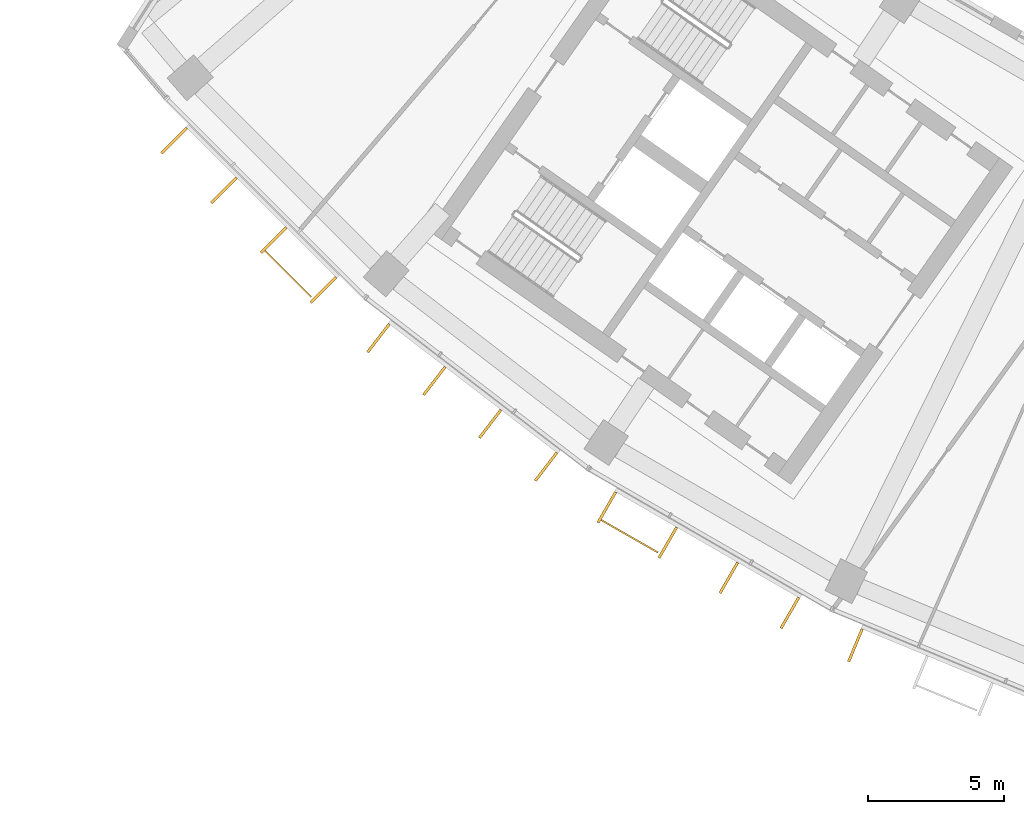
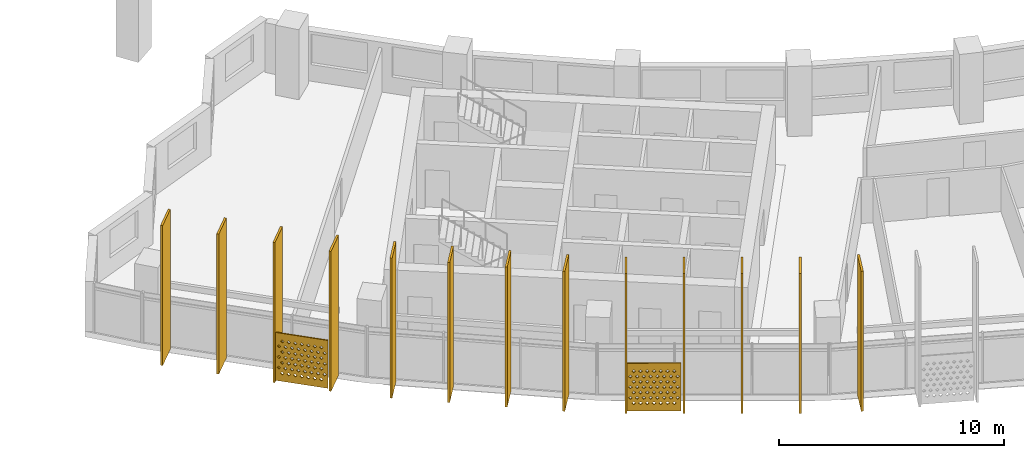
# One storey, part 21 of 27: 15 shading devices.
"""IFC4 building model written with IfcOpenShell, lengths in metres."""

from ifc_helpers import new_model, si_unit, direction, frame, origin, origin_2d, place, context, subcontext, project, spatial, polyline, rectangle, outline, extrude, material, material_profile, profile_set, type_object, element, save


model = new_model("IFC4")

# Units and contexts
model_context = context("Model", 3, precision=1e-05, world=origin(), true_north=direction((0.0, 1.0)))
body_context = subcontext(model_context, "Body", "Model", "MODEL_VIEW")
ifc_project = project(units=[si_unit("LENGTHUNIT", "METRE"), si_unit("AREAUNIT", "SQUARE_METRE"), si_unit("VOLUMEUNIT", "CUBIC_METRE"), si_unit("PLANEANGLEUNIT", "RADIAN"), si_unit("MASSUNIT", "GRAM", prefix="KILO")], contexts=[model_context])

# Site, building, storey
site_placement = place(None, origin())
site = spatial("IfcSite", under=ifc_project, at=site_placement, CompositionType="ELEMENT")
building_placement = place(site_placement, origin())
building = spatial("IfcBuilding", under=site, at=building_placement, Name="Qamariyya Broadcast Tower", CompositionType="ELEMENT")
storey_placement = place(building_placement, frame((0.0, 0.0, 172.10009765625)))
storey = spatial("IfcBuildingStorey", under=building, at=storey_placement, Name="L40", CompositionType="ELEMENT", Elevation=172.10009765625)

# Shading devices
ifc_material_1 = material(Name="Perforated glazed terracotta", Category="masonry")
ifc_material_profile_1 = material_profile(ifc_material_1, outline(polyline([(-1.199951171875, -1.300048828125), (1.199951171875, -1.300048828125), (1.199951171875, 1.300048828125), (-1.199951171875, 1.300048828125), (-1.199951171875, -1.300048828125)]), holes=[polyline([(-0.81494140625, -0.86669921875), (-0.89990234375, -0.78173828125), (-0.985107421875, -0.86669921875), (-0.89990234375, -0.95166015625), (-0.81494140625, -0.86669921875)]), polyline([(-0.514892578125, -0.86669921875), (-0.60009765625, -0.78173828125), (-0.68505859375, -0.86669921875), (-0.60009765625, -0.95166015625), (-0.514892578125, -0.86669921875)]), polyline([(-0.215087890625, -0.86669921875), (-0.300048828125, -0.78173828125), (-0.385009765625, -0.86669921875), (-0.300048828125, -0.95166015625), (-0.215087890625, -0.86669921875)]), polyline([(0.0849609375, -0.86669921875), (0.0, -0.78173828125), (-0.0849609375, -0.86669921875), (0.0, -0.95166015625), (0.0849609375, -0.86669921875)]), polyline([(0.385009765625, -0.86669921875), (0.300048828125, -0.78173828125), (0.215087890625, -0.86669921875), (0.300048828125, -0.95166015625), (0.385009765625, -0.86669921875)]), polyline([(0.68505859375, -0.86669921875), (0.60009765625, -0.78173828125), (0.514892578125, -0.86669921875), (0.60009765625, -0.95166015625), (0.68505859375, -0.86669921875)]), polyline([(0.985107421875, -0.86669921875), (0.89990234375, -0.78173828125), (0.81494140625, -0.86669921875), (0.89990234375, -0.95166015625), (0.985107421875, -0.86669921875)]), polyline([(-0.965087890625, -0.577880859375), (-1.050048828125, -0.49267578125), (-1.135009765625, -0.577880859375), (-1.050048828125, -0.662841796875), (-0.965087890625, -0.577880859375)]), polyline([(-0.6650390625, -0.577880859375), (-0.75, -0.49267578125), (-0.8349609375, -0.577880859375), (-0.75, -0.662841796875), (-0.6650390625, -0.577880859375)]), polyline([(-0.364990234375, -0.577880859375), (-0.449951171875, -0.49267578125), (-0.534912109375, -0.577880859375), (-0.449951171875, -0.662841796875), (-0.364990234375, -0.577880859375)]), polyline([(-0.06494140625, -0.577880859375), (-0.14990234375, -0.49267578125), (-0.235107421875, -0.577880859375), (-0.14990234375, -0.662841796875), (-0.06494140625, -0.577880859375)]), polyline([(0.235107421875, -0.577880859375), (0.14990234375, -0.49267578125), (0.06494140625, -0.577880859375), (0.14990234375, -0.662841796875), (0.235107421875, -0.577880859375)]), polyline([(0.534912109375, -0.577880859375), (0.449951171875, -0.49267578125), (0.364990234375, -0.577880859375), (0.449951171875, -0.662841796875), (0.534912109375, -0.577880859375)]), polyline([(0.8349609375, -0.577880859375), (0.75, -0.49267578125), (0.6650390625, -0.577880859375), (0.75, -0.662841796875), (0.8349609375, -0.577880859375)]), polyline([(1.135009765625, -0.577880859375), (1.050048828125, -0.49267578125), (0.965087890625, -0.577880859375), (1.050048828125, -0.662841796875), (1.135009765625, -0.577880859375)]), polyline([(-0.81494140625, -0.288818359375), (-0.89990234375, -0.203857421875), (-0.985107421875, -0.288818359375), (-0.89990234375, -0.373779296875), (-0.81494140625, -0.288818359375)]), polyline([(-0.514892578125, -0.288818359375), (-0.60009765625, -0.203857421875), (-0.68505859375, -0.288818359375), (-0.60009765625, -0.373779296875), (-0.514892578125, -0.288818359375)]), polyline([(-0.215087890625, -0.288818359375), (-0.300048828125, -0.203857421875), (-0.385009765625, -0.288818359375), (-0.300048828125, -0.373779296875), (-0.215087890625, -0.288818359375)]), polyline([(0.0849609375, -0.288818359375), (0.0, -0.203857421875), (-0.0849609375, -0.288818359375), (0.0, -0.373779296875), (0.0849609375, -0.288818359375)]), polyline([(0.385009765625, -0.288818359375), (0.300048828125, -0.203857421875), (0.215087890625, -0.288818359375), (0.300048828125, -0.373779296875), (0.385009765625, -0.288818359375)]), polyline([(0.68505859375, -0.288818359375), (0.60009765625, -0.203857421875), (0.514892578125, -0.288818359375), (0.60009765625, -0.373779296875), (0.68505859375, -0.288818359375)]), polyline([(0.985107421875, -0.288818359375), (0.89990234375, -0.203857421875), (0.81494140625, -0.288818359375), (0.89990234375, -0.373779296875), (0.985107421875, -0.288818359375)]), polyline([(-0.965087890625, 0.0), (-1.050048828125, 0.0849609375), (-1.135009765625, 0.0), (-1.050048828125, -0.0849609375), (-0.965087890625, 0.0)]), polyline([(-0.6650390625, 0.0), (-0.75, 0.0849609375), (-0.8349609375, 0.0), (-0.75, -0.0849609375), (-0.6650390625, 0.0)]), polyline([(-0.364990234375, 0.0), (-0.449951171875, 0.0849609375), (-0.534912109375, 0.0), (-0.449951171875, -0.0849609375), (-0.364990234375, 0.0)]), polyline([(-0.06494140625, 0.0), (-0.14990234375, 0.0849609375), (-0.235107421875, 0.0), (-0.14990234375, -0.0849609375), (-0.06494140625, 0.0)]), polyline([(0.235107421875, 0.0), (0.14990234375, 0.0849609375), (0.06494140625, 0.0), (0.14990234375, -0.0849609375), (0.235107421875, 0.0)]), polyline([(0.534912109375, 0.0), (0.449951171875, 0.0849609375), (0.364990234375, 0.0), (0.449951171875, -0.0849609375), (0.534912109375, 0.0)]), polyline([(0.8349609375, 0.0), (0.75, 0.0849609375), (0.6650390625, 0.0), (0.75, -0.0849609375), (0.8349609375, 0.0)]), polyline([(1.135009765625, 0.0), (1.050048828125, 0.0849609375), (0.965087890625, 0.0), (1.050048828125, -0.0849609375), (1.135009765625, 0.0)]), polyline([(-0.81494140625, 0.288818359375), (-0.89990234375, 0.373779296875), (-0.985107421875, 0.288818359375), (-0.89990234375, 0.203857421875), (-0.81494140625, 0.288818359375)]), polyline([(-0.514892578125, 0.288818359375), (-0.60009765625, 0.373779296875), (-0.68505859375, 0.288818359375), (-0.60009765625, 0.203857421875), (-0.514892578125, 0.288818359375)]), polyline([(-0.215087890625, 0.288818359375), (-0.300048828125, 0.373779296875), (-0.385009765625, 0.288818359375), (-0.300048828125, 0.203857421875), (-0.215087890625, 0.288818359375)]), polyline([(0.0849609375, 0.288818359375), (0.0, 0.373779296875), (-0.0849609375, 0.288818359375), (0.0, 0.203857421875), (0.0849609375, 0.288818359375)]), polyline([(0.385009765625, 0.288818359375), (0.300048828125, 0.373779296875), (0.215087890625, 0.288818359375), (0.300048828125, 0.203857421875), (0.385009765625, 0.288818359375)]), polyline([(0.68505859375, 0.288818359375), (0.60009765625, 0.373779296875), (0.514892578125, 0.288818359375), (0.60009765625, 0.203857421875), (0.68505859375, 0.288818359375)]), polyline([(0.985107421875, 0.288818359375), (0.89990234375, 0.373779296875), (0.81494140625, 0.288818359375), (0.89990234375, 0.203857421875), (0.985107421875, 0.288818359375)]), polyline([(-0.965087890625, 0.577880859375), (-1.050048828125, 0.662841796875), (-1.135009765625, 0.577880859375), (-1.050048828125, 0.49267578125), (-0.965087890625, 0.577880859375)]), polyline([(-0.6650390625, 0.577880859375), (-0.75, 0.662841796875), (-0.8349609375, 0.577880859375), (-0.75, 0.49267578125), (-0.6650390625, 0.577880859375)]), polyline([(-0.364990234375, 0.577880859375), (-0.449951171875, 0.662841796875), (-0.534912109375, 0.577880859375), (-0.449951171875, 0.49267578125), (-0.364990234375, 0.577880859375)]), polyline([(-0.06494140625, 0.577880859375), (-0.14990234375, 0.662841796875), (-0.235107421875, 0.577880859375), (-0.14990234375, 0.49267578125), (-0.06494140625, 0.577880859375)]), polyline([(0.235107421875, 0.577880859375), (0.14990234375, 0.662841796875), (0.06494140625, 0.577880859375), (0.14990234375, 0.49267578125), (0.235107421875, 0.577880859375)]), polyline([(0.534912109375, 0.577880859375), (0.449951171875, 0.662841796875), (0.364990234375, 0.577880859375), (0.449951171875, 0.49267578125), (0.534912109375, 0.577880859375)]), polyline([(0.8349609375, 0.577880859375), (0.75, 0.662841796875), (0.6650390625, 0.577880859375), (0.75, 0.49267578125), (0.8349609375, 0.577880859375)]), polyline([(1.135009765625, 0.577880859375), (1.050048828125, 0.662841796875), (0.965087890625, 0.577880859375), (1.050048828125, 0.49267578125), (1.135009765625, 0.577880859375)]), polyline([(-0.81494140625, 0.86669921875), (-0.89990234375, 0.95166015625), (-0.985107421875, 0.86669921875), (-0.89990234375, 0.78173828125), (-0.81494140625, 0.86669921875)]), polyline([(-0.514892578125, 0.86669921875), (-0.60009765625, 0.95166015625), (-0.68505859375, 0.86669921875), (-0.60009765625, 0.78173828125), (-0.514892578125, 0.86669921875)]), polyline([(-0.215087890625, 0.86669921875), (-0.300048828125, 0.95166015625), (-0.385009765625, 0.86669921875), (-0.300048828125, 0.78173828125), (-0.215087890625, 0.86669921875)]), polyline([(0.0849609375, 0.86669921875), (0.0, 0.95166015625), (-0.0849609375, 0.86669921875), (0.0, 0.78173828125), (0.0849609375, 0.86669921875)]), polyline([(0.385009765625, 0.86669921875), (0.300048828125, 0.95166015625), (0.215087890625, 0.86669921875), (0.300048828125, 0.78173828125), (0.385009765625, 0.86669921875)]), polyline([(0.68505859375, 0.86669921875), (0.60009765625, 0.95166015625), (0.514892578125, 0.86669921875), (0.60009765625, 0.78173828125), (0.68505859375, 0.86669921875)]), polyline([(0.985107421875, 0.86669921875), (0.89990234375, 0.95166015625), (0.81494140625, 0.86669921875), (0.89990234375, 0.78173828125), (0.985107421875, 0.86669921875)])]))
ifc_profile_set_1 = profile_set([ifc_material_profile_1], Name="Perforated glazed terracotta")
shading_device_type_1 = type_object("IfcShadingDeviceType", Name="Perforated terracotta screen 2400 x 2600", PredefinedType="USERDEFINED", material=ifc_profile_set_1)
shading_device_1_placement = place(storey_placement, frame((-54.842529296875, -58.43701171875, 1.349853515625), z_axis=(-0.707106781187, -0.707106781187, 0.0), x_axis=(0.707106781187, -0.707106781187, 0.0)))
element("IfcShadingDevice", 1, at=shading_device_1_placement, inside=storey, type_object=shading_device_type_1, Name="e-scr-L40-01-2", ObjectType="SCREEN", PredefinedType="USERDEFINED", context=body_context, shape_type="SweptSolid", body=[
    extrude(outline(polyline([(-1.199951171875, -1.300048828125), (1.199951171875, -1.300048828125), (1.199951171875, 1.300048828125), (-1.199951171875, 1.300048828125), (-1.199951171875, -1.300048828125)]), holes=[polyline([(-0.81494140625, -0.86669921875), (-0.89990234375, -0.78173828125), (-0.985107421875, -0.86669921875), (-0.89990234375, -0.95166015625), (-0.81494140625, -0.86669921875)]), polyline([(-0.514892578125, -0.86669921875), (-0.60009765625, -0.78173828125), (-0.68505859375, -0.86669921875), (-0.60009765625, -0.95166015625), (-0.514892578125, -0.86669921875)]), polyline([(-0.215087890625, -0.86669921875), (-0.300048828125, -0.78173828125), (-0.385009765625, -0.86669921875), (-0.300048828125, -0.95166015625), (-0.215087890625, -0.86669921875)]), polyline([(0.0849609375, -0.86669921875), (0.0, -0.78173828125), (-0.0849609375, -0.86669921875), (0.0, -0.95166015625), (0.0849609375, -0.86669921875)]), polyline([(0.385009765625, -0.86669921875), (0.300048828125, -0.78173828125), (0.215087890625, -0.86669921875), (0.300048828125, -0.95166015625), (0.385009765625, -0.86669921875)]), polyline([(0.68505859375, -0.86669921875), (0.60009765625, -0.78173828125), (0.514892578125, -0.86669921875), (0.60009765625, -0.95166015625), (0.68505859375, -0.86669921875)]), polyline([(0.985107421875, -0.86669921875), (0.89990234375, -0.78173828125), (0.81494140625, -0.86669921875), (0.89990234375, -0.95166015625), (0.985107421875, -0.86669921875)]), polyline([(-0.965087890625, -0.577880859375), (-1.050048828125, -0.49267578125), (-1.135009765625, -0.577880859375), (-1.050048828125, -0.662841796875), (-0.965087890625, -0.577880859375)]), polyline([(-0.6650390625, -0.577880859375), (-0.75, -0.49267578125), (-0.8349609375, -0.577880859375), (-0.75, -0.662841796875), (-0.6650390625, -0.577880859375)]), polyline([(-0.364990234375, -0.577880859375), (-0.449951171875, -0.49267578125), (-0.534912109375, -0.577880859375), (-0.449951171875, -0.662841796875), (-0.364990234375, -0.577880859375)]), polyline([(-0.06494140625, -0.577880859375), (-0.14990234375, -0.49267578125), (-0.235107421875, -0.577880859375), (-0.14990234375, -0.662841796875), (-0.06494140625, -0.577880859375)]), polyline([(0.235107421875, -0.577880859375), (0.14990234375, -0.49267578125), (0.06494140625, -0.577880859375), (0.14990234375, -0.662841796875), (0.235107421875, -0.577880859375)]), polyline([(0.534912109375, -0.577880859375), (0.449951171875, -0.49267578125), (0.364990234375, -0.577880859375), (0.449951171875, -0.662841796875), (0.534912109375, -0.577880859375)]), polyline([(0.8349609375, -0.577880859375), (0.75, -0.49267578125), (0.6650390625, -0.577880859375), (0.75, -0.662841796875), (0.8349609375, -0.577880859375)]), polyline([(1.135009765625, -0.577880859375), (1.050048828125, -0.49267578125), (0.965087890625, -0.577880859375), (1.050048828125, -0.662841796875), (1.135009765625, -0.577880859375)]), polyline([(-0.81494140625, -0.288818359375), (-0.89990234375, -0.203857421875), (-0.985107421875, -0.288818359375), (-0.89990234375, -0.373779296875), (-0.81494140625, -0.288818359375)]), polyline([(-0.514892578125, -0.288818359375), (-0.60009765625, -0.203857421875), (-0.68505859375, -0.288818359375), (-0.60009765625, -0.373779296875), (-0.514892578125, -0.288818359375)]), polyline([(-0.215087890625, -0.288818359375), (-0.300048828125, -0.203857421875), (-0.385009765625, -0.288818359375), (-0.300048828125, -0.373779296875), (-0.215087890625, -0.288818359375)]), polyline([(0.0849609375, -0.288818359375), (0.0, -0.203857421875), (-0.0849609375, -0.288818359375), (0.0, -0.373779296875), (0.0849609375, -0.288818359375)]), polyline([(0.385009765625, -0.288818359375), (0.300048828125, -0.203857421875), (0.215087890625, -0.288818359375), (0.300048828125, -0.373779296875), (0.385009765625, -0.288818359375)]), polyline([(0.68505859375, -0.288818359375), (0.60009765625, -0.203857421875), (0.514892578125, -0.288818359375), (0.60009765625, -0.373779296875), (0.68505859375, -0.288818359375)]), polyline([(0.985107421875, -0.288818359375), (0.89990234375, -0.203857421875), (0.81494140625, -0.288818359375), (0.89990234375, -0.373779296875), (0.985107421875, -0.288818359375)]), polyline([(-0.965087890625, 0.0), (-1.050048828125, 0.0849609375), (-1.135009765625, 0.0), (-1.050048828125, -0.0849609375), (-0.965087890625, 0.0)]), polyline([(-0.6650390625, 0.0), (-0.75, 0.0849609375), (-0.8349609375, 0.0), (-0.75, -0.0849609375), (-0.6650390625, 0.0)]), polyline([(-0.364990234375, 0.0), (-0.449951171875, 0.0849609375), (-0.534912109375, 0.0), (-0.449951171875, -0.0849609375), (-0.364990234375, 0.0)]), polyline([(-0.06494140625, 0.0), (-0.14990234375, 0.0849609375), (-0.235107421875, 0.0), (-0.14990234375, -0.0849609375), (-0.06494140625, 0.0)]), polyline([(0.235107421875, 0.0), (0.14990234375, 0.0849609375), (0.06494140625, 0.0), (0.14990234375, -0.0849609375), (0.235107421875, 0.0)]), polyline([(0.534912109375, 0.0), (0.449951171875, 0.0849609375), (0.364990234375, 0.0), (0.449951171875, -0.0849609375), (0.534912109375, 0.0)]), polyline([(0.8349609375, 0.0), (0.75, 0.0849609375), (0.6650390625, 0.0), (0.75, -0.0849609375), (0.8349609375, 0.0)]), polyline([(1.135009765625, 0.0), (1.050048828125, 0.0849609375), (0.965087890625, 0.0), (1.050048828125, -0.0849609375), (1.135009765625, 0.0)]), polyline([(-0.81494140625, 0.288818359375), (-0.89990234375, 0.373779296875), (-0.985107421875, 0.288818359375), (-0.89990234375, 0.203857421875), (-0.81494140625, 0.288818359375)]), polyline([(-0.514892578125, 0.288818359375), (-0.60009765625, 0.373779296875), (-0.68505859375, 0.288818359375), (-0.60009765625, 0.203857421875), (-0.514892578125, 0.288818359375)]), polyline([(-0.215087890625, 0.288818359375), (-0.300048828125, 0.373779296875), (-0.385009765625, 0.288818359375), (-0.300048828125, 0.203857421875), (-0.215087890625, 0.288818359375)]), polyline([(0.0849609375, 0.288818359375), (0.0, 0.373779296875), (-0.0849609375, 0.288818359375), (0.0, 0.203857421875), (0.0849609375, 0.288818359375)]), polyline([(0.385009765625, 0.288818359375), (0.300048828125, 0.373779296875), (0.215087890625, 0.288818359375), (0.300048828125, 0.203857421875), (0.385009765625, 0.288818359375)]), polyline([(0.68505859375, 0.288818359375), (0.60009765625, 0.373779296875), (0.514892578125, 0.288818359375), (0.60009765625, 0.203857421875), (0.68505859375, 0.288818359375)]), polyline([(0.985107421875, 0.288818359375), (0.89990234375, 0.373779296875), (0.81494140625, 0.288818359375), (0.89990234375, 0.203857421875), (0.985107421875, 0.288818359375)]), polyline([(-0.965087890625, 0.577880859375), (-1.050048828125, 0.662841796875), (-1.135009765625, 0.577880859375), (-1.050048828125, 0.49267578125), (-0.965087890625, 0.577880859375)]), polyline([(-0.6650390625, 0.577880859375), (-0.75, 0.662841796875), (-0.8349609375, 0.577880859375), (-0.75, 0.49267578125), (-0.6650390625, 0.577880859375)]), polyline([(-0.364990234375, 0.577880859375), (-0.449951171875, 0.662841796875), (-0.534912109375, 0.577880859375), (-0.449951171875, 0.49267578125), (-0.364990234375, 0.577880859375)]), polyline([(-0.06494140625, 0.577880859375), (-0.14990234375, 0.662841796875), (-0.235107421875, 0.577880859375), (-0.14990234375, 0.49267578125), (-0.06494140625, 0.577880859375)]), polyline([(0.235107421875, 0.577880859375), (0.14990234375, 0.662841796875), (0.06494140625, 0.577880859375), (0.14990234375, 0.49267578125), (0.235107421875, 0.577880859375)]), polyline([(0.534912109375, 0.577880859375), (0.449951171875, 0.662841796875), (0.364990234375, 0.577880859375), (0.449951171875, 0.49267578125), (0.534912109375, 0.577880859375)]), polyline([(0.8349609375, 0.577880859375), (0.75, 0.662841796875), (0.6650390625, 0.577880859375), (0.75, 0.49267578125), (0.8349609375, 0.577880859375)]), polyline([(1.135009765625, 0.577880859375), (1.050048828125, 0.662841796875), (0.965087890625, 0.577880859375), (1.050048828125, 0.49267578125), (1.135009765625, 0.577880859375)]), polyline([(-0.81494140625, 0.86669921875), (-0.89990234375, 0.95166015625), (-0.985107421875, 0.86669921875), (-0.89990234375, 0.78173828125), (-0.81494140625, 0.86669921875)]), polyline([(-0.514892578125, 0.86669921875), (-0.60009765625, 0.95166015625), (-0.68505859375, 0.86669921875), (-0.60009765625, 0.78173828125), (-0.514892578125, 0.86669921875)]), polyline([(-0.215087890625, 0.86669921875), (-0.300048828125, 0.95166015625), (-0.385009765625, 0.86669921875), (-0.300048828125, 0.78173828125), (-0.215087890625, 0.86669921875)]), polyline([(0.0849609375, 0.86669921875), (0.0, 0.95166015625), (-0.0849609375, 0.86669921875), (0.0, 0.78173828125), (0.0849609375, 0.86669921875)]), polyline([(0.385009765625, 0.86669921875), (0.300048828125, 0.95166015625), (0.215087890625, 0.86669921875), (0.300048828125, 0.78173828125), (0.385009765625, 0.86669921875)]), polyline([(0.68505859375, 0.86669921875), (0.60009765625, 0.95166015625), (0.514892578125, 0.86669921875), (0.60009765625, 0.78173828125), (0.68505859375, 0.86669921875)]), polyline([(0.985107421875, 0.86669921875), (0.89990234375, 0.95166015625), (0.81494140625, 0.86669921875), (0.89990234375, 0.78173828125), (0.985107421875, 0.86669921875)])]), origin(), (0.0, 0.0, 1.0), 0.06005859375),
])
shading_device_2_placement = place(storey_placement, frame((-42.323974609375, -68.056884765625, 1.349853515625), z_axis=(-0.497016140981, -0.86774129532, 0.0), x_axis=(0.86774129532, -0.497016140981, 0.0)))
element("IfcShadingDevice", 2, at=shading_device_2_placement, inside=storey, type_object=shading_device_type_1, Name="e-scr-L40-03-0", ObjectType="SCREEN", PredefinedType="USERDEFINED", context=body_context, shape_type="SweptSolid", body=[
    extrude(outline(polyline([(-1.199951171875, -1.300048828125), (1.199951171875, -1.300048828125), (1.199951171875, 1.300048828125), (-1.199951171875, 1.300048828125), (-1.199951171875, -1.300048828125)]), holes=[polyline([(-0.81494140625, -0.86669921875), (-0.89990234375, -0.78173828125), (-0.985107421875, -0.86669921875), (-0.89990234375, -0.95166015625), (-0.81494140625, -0.86669921875)]), polyline([(-0.514892578125, -0.86669921875), (-0.60009765625, -0.78173828125), (-0.68505859375, -0.86669921875), (-0.60009765625, -0.95166015625), (-0.514892578125, -0.86669921875)]), polyline([(-0.215087890625, -0.86669921875), (-0.300048828125, -0.78173828125), (-0.385009765625, -0.86669921875), (-0.300048828125, -0.95166015625), (-0.215087890625, -0.86669921875)]), polyline([(0.0849609375, -0.86669921875), (0.0, -0.78173828125), (-0.0849609375, -0.86669921875), (0.0, -0.95166015625), (0.0849609375, -0.86669921875)]), polyline([(0.385009765625, -0.86669921875), (0.300048828125, -0.78173828125), (0.215087890625, -0.86669921875), (0.300048828125, -0.95166015625), (0.385009765625, -0.86669921875)]), polyline([(0.68505859375, -0.86669921875), (0.60009765625, -0.78173828125), (0.514892578125, -0.86669921875), (0.60009765625, -0.95166015625), (0.68505859375, -0.86669921875)]), polyline([(0.985107421875, -0.86669921875), (0.89990234375, -0.78173828125), (0.81494140625, -0.86669921875), (0.89990234375, -0.95166015625), (0.985107421875, -0.86669921875)]), polyline([(-0.965087890625, -0.577880859375), (-1.050048828125, -0.49267578125), (-1.135009765625, -0.577880859375), (-1.050048828125, -0.662841796875), (-0.965087890625, -0.577880859375)]), polyline([(-0.6650390625, -0.577880859375), (-0.75, -0.49267578125), (-0.8349609375, -0.577880859375), (-0.75, -0.662841796875), (-0.6650390625, -0.577880859375)]), polyline([(-0.364990234375, -0.577880859375), (-0.449951171875, -0.49267578125), (-0.534912109375, -0.577880859375), (-0.449951171875, -0.662841796875), (-0.364990234375, -0.577880859375)]), polyline([(-0.06494140625, -0.577880859375), (-0.14990234375, -0.49267578125), (-0.235107421875, -0.577880859375), (-0.14990234375, -0.662841796875), (-0.06494140625, -0.577880859375)]), polyline([(0.235107421875, -0.577880859375), (0.14990234375, -0.49267578125), (0.06494140625, -0.577880859375), (0.14990234375, -0.662841796875), (0.235107421875, -0.577880859375)]), polyline([(0.534912109375, -0.577880859375), (0.449951171875, -0.49267578125), (0.364990234375, -0.577880859375), (0.449951171875, -0.662841796875), (0.534912109375, -0.577880859375)]), polyline([(0.8349609375, -0.577880859375), (0.75, -0.49267578125), (0.6650390625, -0.577880859375), (0.75, -0.662841796875), (0.8349609375, -0.577880859375)]), polyline([(1.135009765625, -0.577880859375), (1.050048828125, -0.49267578125), (0.965087890625, -0.577880859375), (1.050048828125, -0.662841796875), (1.135009765625, -0.577880859375)]), polyline([(-0.81494140625, -0.288818359375), (-0.89990234375, -0.203857421875), (-0.985107421875, -0.288818359375), (-0.89990234375, -0.373779296875), (-0.81494140625, -0.288818359375)]), polyline([(-0.514892578125, -0.288818359375), (-0.60009765625, -0.203857421875), (-0.68505859375, -0.288818359375), (-0.60009765625, -0.373779296875), (-0.514892578125, -0.288818359375)]), polyline([(-0.215087890625, -0.288818359375), (-0.300048828125, -0.203857421875), (-0.385009765625, -0.288818359375), (-0.300048828125, -0.373779296875), (-0.215087890625, -0.288818359375)]), polyline([(0.0849609375, -0.288818359375), (0.0, -0.203857421875), (-0.0849609375, -0.288818359375), (0.0, -0.373779296875), (0.0849609375, -0.288818359375)]), polyline([(0.385009765625, -0.288818359375), (0.300048828125, -0.203857421875), (0.215087890625, -0.288818359375), (0.300048828125, -0.373779296875), (0.385009765625, -0.288818359375)]), polyline([(0.68505859375, -0.288818359375), (0.60009765625, -0.203857421875), (0.514892578125, -0.288818359375), (0.60009765625, -0.373779296875), (0.68505859375, -0.288818359375)]), polyline([(0.985107421875, -0.288818359375), (0.89990234375, -0.203857421875), (0.81494140625, -0.288818359375), (0.89990234375, -0.373779296875), (0.985107421875, -0.288818359375)]), polyline([(-0.965087890625, 0.0), (-1.050048828125, 0.0849609375), (-1.135009765625, 0.0), (-1.050048828125, -0.0849609375), (-0.965087890625, 0.0)]), polyline([(-0.6650390625, 0.0), (-0.75, 0.0849609375), (-0.8349609375, 0.0), (-0.75, -0.0849609375), (-0.6650390625, 0.0)]), polyline([(-0.364990234375, 0.0), (-0.449951171875, 0.0849609375), (-0.534912109375, 0.0), (-0.449951171875, -0.0849609375), (-0.364990234375, 0.0)]), polyline([(-0.06494140625, 0.0), (-0.14990234375, 0.0849609375), (-0.235107421875, 0.0), (-0.14990234375, -0.0849609375), (-0.06494140625, 0.0)]), polyline([(0.235107421875, 0.0), (0.14990234375, 0.0849609375), (0.06494140625, 0.0), (0.14990234375, -0.0849609375), (0.235107421875, 0.0)]), polyline([(0.534912109375, 0.0), (0.449951171875, 0.0849609375), (0.364990234375, 0.0), (0.449951171875, -0.0849609375), (0.534912109375, 0.0)]), polyline([(0.8349609375, 0.0), (0.75, 0.0849609375), (0.6650390625, 0.0), (0.75, -0.0849609375), (0.8349609375, 0.0)]), polyline([(1.135009765625, 0.0), (1.050048828125, 0.0849609375), (0.965087890625, 0.0), (1.050048828125, -0.0849609375), (1.135009765625, 0.0)]), polyline([(-0.81494140625, 0.288818359375), (-0.89990234375, 0.373779296875), (-0.985107421875, 0.288818359375), (-0.89990234375, 0.203857421875), (-0.81494140625, 0.288818359375)]), polyline([(-0.514892578125, 0.288818359375), (-0.60009765625, 0.373779296875), (-0.68505859375, 0.288818359375), (-0.60009765625, 0.203857421875), (-0.514892578125, 0.288818359375)]), polyline([(-0.215087890625, 0.288818359375), (-0.300048828125, 0.373779296875), (-0.385009765625, 0.288818359375), (-0.300048828125, 0.203857421875), (-0.215087890625, 0.288818359375)]), polyline([(0.0849609375, 0.288818359375), (0.0, 0.373779296875), (-0.0849609375, 0.288818359375), (0.0, 0.203857421875), (0.0849609375, 0.288818359375)]), polyline([(0.385009765625, 0.288818359375), (0.300048828125, 0.373779296875), (0.215087890625, 0.288818359375), (0.300048828125, 0.203857421875), (0.385009765625, 0.288818359375)]), polyline([(0.68505859375, 0.288818359375), (0.60009765625, 0.373779296875), (0.514892578125, 0.288818359375), (0.60009765625, 0.203857421875), (0.68505859375, 0.288818359375)]), polyline([(0.985107421875, 0.288818359375), (0.89990234375, 0.373779296875), (0.81494140625, 0.288818359375), (0.89990234375, 0.203857421875), (0.985107421875, 0.288818359375)]), polyline([(-0.965087890625, 0.577880859375), (-1.050048828125, 0.662841796875), (-1.135009765625, 0.577880859375), (-1.050048828125, 0.49267578125), (-0.965087890625, 0.577880859375)]), polyline([(-0.6650390625, 0.577880859375), (-0.75, 0.662841796875), (-0.8349609375, 0.577880859375), (-0.75, 0.49267578125), (-0.6650390625, 0.577880859375)]), polyline([(-0.364990234375, 0.577880859375), (-0.449951171875, 0.662841796875), (-0.534912109375, 0.577880859375), (-0.449951171875, 0.49267578125), (-0.364990234375, 0.577880859375)]), polyline([(-0.06494140625, 0.577880859375), (-0.14990234375, 0.662841796875), (-0.235107421875, 0.577880859375), (-0.14990234375, 0.49267578125), (-0.06494140625, 0.577880859375)]), polyline([(0.235107421875, 0.577880859375), (0.14990234375, 0.662841796875), (0.06494140625, 0.577880859375), (0.14990234375, 0.49267578125), (0.235107421875, 0.577880859375)]), polyline([(0.534912109375, 0.577880859375), (0.449951171875, 0.662841796875), (0.364990234375, 0.577880859375), (0.449951171875, 0.49267578125), (0.534912109375, 0.577880859375)]), polyline([(0.8349609375, 0.577880859375), (0.75, 0.662841796875), (0.6650390625, 0.577880859375), (0.75, 0.49267578125), (0.8349609375, 0.577880859375)]), polyline([(1.135009765625, 0.577880859375), (1.050048828125, 0.662841796875), (0.965087890625, 0.577880859375), (1.050048828125, 0.49267578125), (1.135009765625, 0.577880859375)]), polyline([(-0.81494140625, 0.86669921875), (-0.89990234375, 0.95166015625), (-0.985107421875, 0.86669921875), (-0.89990234375, 0.78173828125), (-0.81494140625, 0.86669921875)]), polyline([(-0.514892578125, 0.86669921875), (-0.60009765625, 0.95166015625), (-0.68505859375, 0.86669921875), (-0.60009765625, 0.78173828125), (-0.514892578125, 0.86669921875)]), polyline([(-0.215087890625, 0.86669921875), (-0.300048828125, 0.95166015625), (-0.385009765625, 0.86669921875), (-0.300048828125, 0.78173828125), (-0.215087890625, 0.86669921875)]), polyline([(0.0849609375, 0.86669921875), (0.0, 0.95166015625), (-0.0849609375, 0.86669921875), (0.0, 0.78173828125), (0.0849609375, 0.86669921875)]), polyline([(0.385009765625, 0.86669921875), (0.300048828125, 0.95166015625), (0.215087890625, 0.86669921875), (0.300048828125, 0.78173828125), (0.385009765625, 0.86669921875)]), polyline([(0.68505859375, 0.86669921875), (0.60009765625, 0.95166015625), (0.514892578125, 0.86669921875), (0.60009765625, 0.78173828125), (0.68505859375, 0.86669921875)]), polyline([(0.985107421875, 0.86669921875), (0.89990234375, 0.95166015625), (0.81494140625, 0.86669921875), (0.89990234375, 0.78173828125), (0.985107421875, 0.86669921875)])]), origin(), (0.0, 0.0, 1.0), 0.059814453125),
])
ifc_material_2 = material(Name="Glazed terracotta", Category="masonry")
ifc_material_profile_2 = material_profile(ifc_material_2, rectangle(XDim=1.300048828125, YDim=0.10009765625, at=origin_2d()))
ifc_profile_set_2 = profile_set([ifc_material_profile_2], Name="Glazed terracotta")
shading_device_type_2 = type_object("IfcShadingDeviceType", Name="Terracotta fin 100 x 1300", PredefinedType="USERDEFINED", material=ifc_profile_set_2)
for number, where, z_axis, x_axis, name in (
    (3, (-59.047607421875, -53.5673828125, 0.0), (0.0, 0.0, 1.0), (-0.707106781187, -0.707106781187, 0.0), "e-fin-L40-01-0"),
    (4, (-57.220947265625, -55.39404296875, 0.0), (0.0, 0.0, 1.0), (-0.707106781187, -0.707106781187, 0.0), "e-fin-L40-01-1"),
    (5, (-55.39404296875, -57.220947265625, 0.0), (0.0, 0.0, 1.0), (-0.707106781187, -0.707106781187, 0.0), "e-fin-L40-01-2"),
    (6, (-53.5673828125, -59.047607421875, 0.0), (0.0, 0.0, 1.0), (-0.707106781187, -0.707106781187, 0.0), "e-fin-L40-01-3"),
    (7, (-51.550537109375, -60.81640625, 0.0), (0.0, 0.0, 1.0), (-0.608761429009, -0.793353340291, 0.0), "e-fin-L40-02-0"),
    (8, (-49.5009765625, -62.38916015625, 0.0), (0.0, 0.0, 1.0), (-0.608761429009, -0.793353340291, 0.0), "e-fin-L40-02-1"),
    (9, (-47.451416015625, -63.961669921875, 0.0), (0.0, 0.0, 1.0), (-0.608761429009, -0.793353340291, 0.0), "e-fin-L40-02-2"),
    (10, (-45.40185546875, -65.534423828125, 0.0), (0.0, 0.0, 1.0), (-0.608761429009, -0.793353340291, 0.0), "e-fin-L40-02-3"),
    (11, (-43.17138671875, -67.024658203125, 0.0), (0.0, 0.0, 1.0), (-0.5, -0.866025403784, 0.0), "e-fin-L40-03-0"),
    (12, (-40.93408203125, -68.31640625, 0.0), (0.0, 0.0, 1.0), (-0.5, -0.866025403784, 0.0), "e-fin-L40-03-1"),
    (13, (-38.69677734375, -69.608154296875, 0.0), (0.0, 0.0, 1.0), (-0.5, -0.866025403784, 0.0), "e-fin-L40-03-2"),
    (14, (-36.45947265625, -70.89990234375, 0.0), (0.0, 0.0, 1.0), (-0.5, -0.866025403784, 0.0), "e-fin-L40-03-3"),
    (15, (-34.053466796875, -72.08642578125, 0.0), (0.0, 0.0, 1.0), (-0.382683432365, -0.923879532511, 0.0), "e-fin-L40-04-0"),
):
    element("IfcShadingDevice", number, at=place(storey_placement, frame(where, z_axis=z_axis, x_axis=x_axis)), inside=storey, type_object=shading_device_type_2, Name=name, ObjectType="FIN", PredefinedType="USERDEFINED", context=body_context, shape_type="SweptSolid", body=[
        extrude(rectangle(XDim=1.300048828125, YDim=0.10009765625, at=origin_2d()), origin(), (0.0, 0.0, 1.0), 7.599853515625),
    ])

save(model, "model.ifc")
